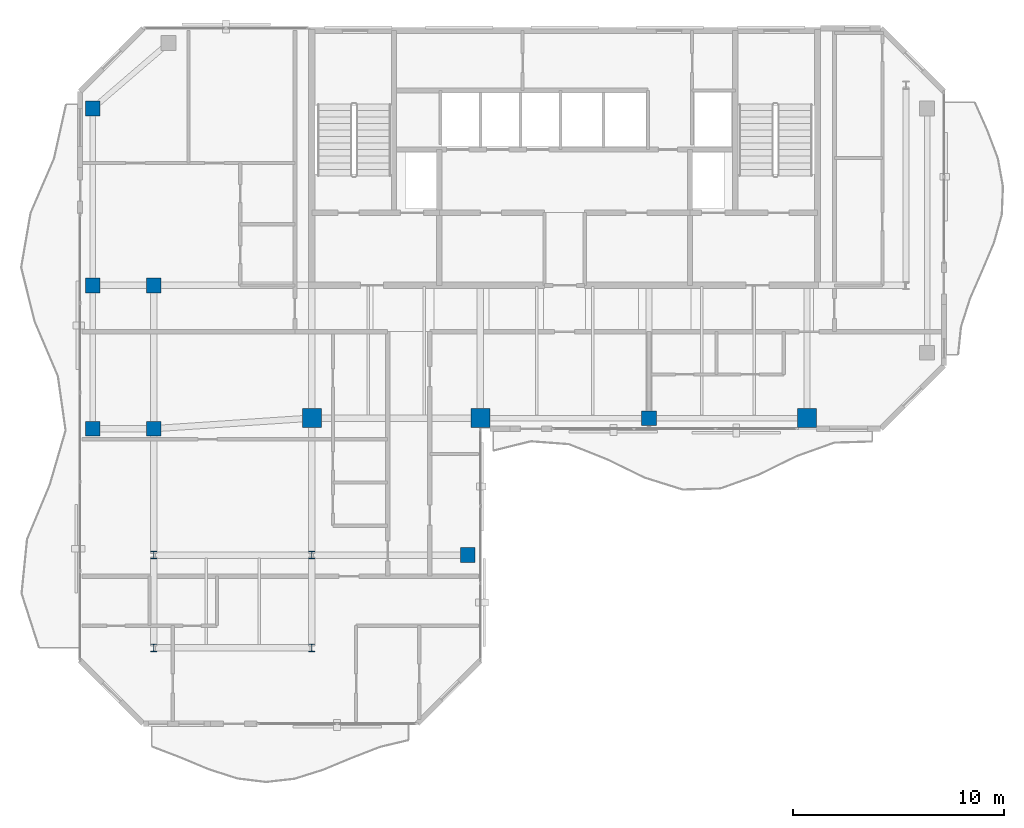
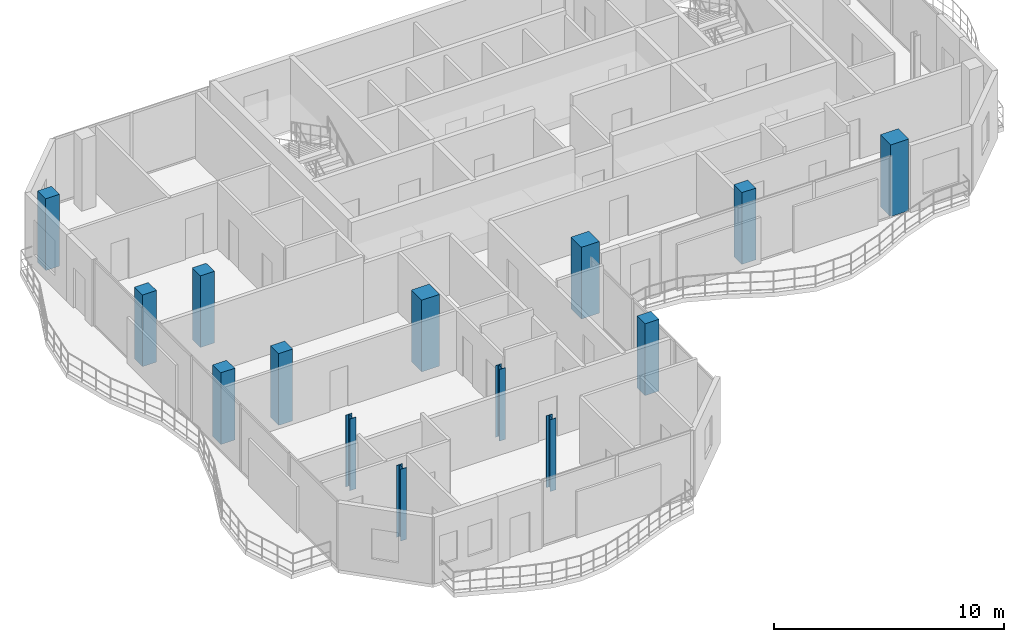
# One storey, part 1 of 22: 14 columns.
"""IFC4 building model written with IfcOpenShell, lengths in metres."""

from ifc_helpers import new_model, si_unit, direction, frame, origin, origin_2d, place, context, subcontext, project, spatial, rectangle, i_section, extrude, material, material_profile, profile_set, type_object, element, save


model = new_model("IFC4")

# Units and contexts
model_context = context("Model", 3, precision=1e-05, world=origin(), true_north=direction((0.0, 1.0)))
body_context = subcontext(model_context, "Body", "Model", "MODEL_VIEW")
ifc_project = project(units=[si_unit("LENGTHUNIT", "METRE"), si_unit("AREAUNIT", "SQUARE_METRE"), si_unit("VOLUMEUNIT", "CUBIC_METRE"), si_unit("PLANEANGLEUNIT", "RADIAN"), si_unit("MASSUNIT", "GRAM", prefix="KILO")], contexts=[model_context])

# Site, building, storey
site_placement = place(None, origin())
site = spatial("IfcSite", under=ifc_project, at=site_placement, CompositionType="ELEMENT")
building_placement = place(site_placement, origin())
building = spatial("IfcBuilding", under=site, at=building_placement, Name="Catumbela Crestline Tower", CompositionType="ELEMENT")
storey_placement = place(building_placement, frame((0.0, 0.0, 260.2)))
storey = spatial("IfcBuildingStorey", under=building, at=storey_placement, Name="L67", CompositionType="ELEMENT", Elevation=260.2)

# Columns
ifc_material_1 = material(Name="Concrete C45/55", Category="concrete")
ifc_material_profile_1 = material_profile(ifc_material_1, rectangle(XDim=0.7, YDim=0.7, at=origin_2d()), Name="RC 700x700")
ifc_profile_set_1 = profile_set([ifc_material_profile_1], Name="Concrete C45/55")
column_type_1 = type_object("IfcColumnType", Name="C-RC700-C45", PredefinedType="COLUMN", material=ifc_profile_set_1)
for number, where, z_axis, x_axis, name in (
    (1, (8.5, 24.0, 0.0), (0.0, 0.0, 1.0), (1.0, 0.0, 0.0), "L67 Column C-08-24 (RC 700x700)"),
    (2, (32.0, 24.5, 0.0), (0.0, 0.0, 1.0), (1.0, 0.0, 0.0), "L67 Column C-32-24 (RC 700x700)"),
    (3, (5.6, 24.0, 0.0), (0.0, 0.0, 1.0), (1.0, 0.0, 0.0), "L67 Column C-05-24 (RC 700x700)"),
    (4, (5.6, 30.8, 0.0), (0.0, 0.0, 1.0), (1.0, 0.0, 0.0), "L67 Column C-05-31 (RC 700x700)"),
    (5, (5.6, 39.2, 0.0), (0.0, 0.0, 1.0), (1.0, 0.0, 0.0), "L67 Column C-05-43 (RC 700x700)"),
    (6, (8.5, 30.8, 0.0), (0.0, 0.0, 1.0), (1.0, 0.0, 0.0), "L67 Column C-08-31 (RC 700x700)"),
    (7, (23.4, 18.0, 0.0), (0.0, 0.0, 1.0), (1.0, 0.0, 0.0), "L67 Column C-24-16 (RC 700x700)"),
):
    element("IfcColumn", number, at=place(storey_placement, frame(where, z_axis=z_axis, x_axis=x_axis)), inside=storey, type_object=column_type_1, Name=name, PredefinedType="COLUMN", context=body_context, shape_type="SweptSolid", body=[
        extrude(rectangle(XDim=0.7, YDim=0.7, at=origin_2d()), origin(), (0.0, 0.0, 1.0), 3.8),
    ])
ifc_material_profile_2 = material_profile(ifc_material_1, rectangle(XDim=0.9, YDim=0.9, at=origin_2d()), Name="RC 900x900")
ifc_profile_set_2 = profile_set([ifc_material_profile_2], Name="Concrete C45/55")
column_type_2 = type_object("IfcColumnType", Name="C-RC900-C45", PredefinedType="COLUMN", material=ifc_profile_set_2)
for number, where, z_axis, x_axis, name in (
    (8, (16.0, 24.5, 0.0), (0.0, 0.0, 1.0), (1.0, 0.0, 0.0), "L67 Column C-16-24 (RC 900x900)"),
    (9, (24.0, 24.5, 0.0), (0.0, 0.0, 1.0), (1.0, 0.0, 0.0), "L67 Column C-24-24 (RC 900x900)"),
    (10, (39.5, 24.5, 0.0), (0.0, 0.0, 1.0), (1.0, 0.0, 0.0), "L67 Column C-40-24 (RC 900x900)"),
):
    element("IfcColumn", number, at=place(storey_placement, frame(where, z_axis=z_axis, x_axis=x_axis)), inside=storey, type_object=column_type_2, Name=name, PredefinedType="COLUMN", context=body_context, shape_type="SweptSolid", body=[
        extrude(rectangle(XDim=0.9, YDim=0.9, at=origin_2d()), origin(), (0.0, 0.0, 1.0), 3.8),
    ])
ifc_material_2 = material(Name="Structural steel S355J2", Category="steel")
ifc_material_profile_3 = material_profile(ifc_material_2, i_section(OverallWidth=0.3, OverallDepth=0.36, WebThickness=0.0125, FlangeThickness=0.0225, FilletRadius=0.027, at=origin_2d()), Name="HEB 360")
ifc_profile_set_3 = profile_set([ifc_material_profile_3], Name="Structural steel S355J2")
column_type_3 = type_object("IfcColumnType", Name="C-ST-HEB360", PredefinedType="COLUMN", material=ifc_profile_set_3)
for number, where, z_axis, x_axis, name in (
    (11, (8.5, 13.6, 0.0), (0.0, 0.0, 1.0), (1.0, 0.0, 0.0), "L67 Column CT-05-10 (HEB 360)"),
    (12, (16.0, 13.6, 0.0), (0.0, 0.0, 1.0), (1.0, 0.0, 0.0), "L67 Column CT-14-10 (HEB 360)"),
    (13, (8.5, 18.0, 0.0), (0.0, 0.0, 1.0), (1.0, 0.0, 0.0), "L67 Column CT-05-16 (HEB 360)"),
    (14, (16.0, 18.0, 0.0), (0.0, 0.0, 1.0), (1.0, 0.0, 0.0), "L67 Column CT-14-16 (HEB 360)"),
):
    element("IfcColumn", number, at=place(storey_placement, frame(where, z_axis=z_axis, x_axis=x_axis)), inside=storey, type_object=column_type_3, Name=name, PredefinedType="COLUMN", context=body_context, shape_type="SweptSolid", body=[
        extrude(i_section(OverallWidth=0.3, OverallDepth=0.36, WebThickness=0.0125, FlangeThickness=0.0225, FilletRadius=0.027, at=origin_2d()), origin(), (0.0, 0.0, 1.0), 3.8),
    ])

save(model, "model.ifc")
